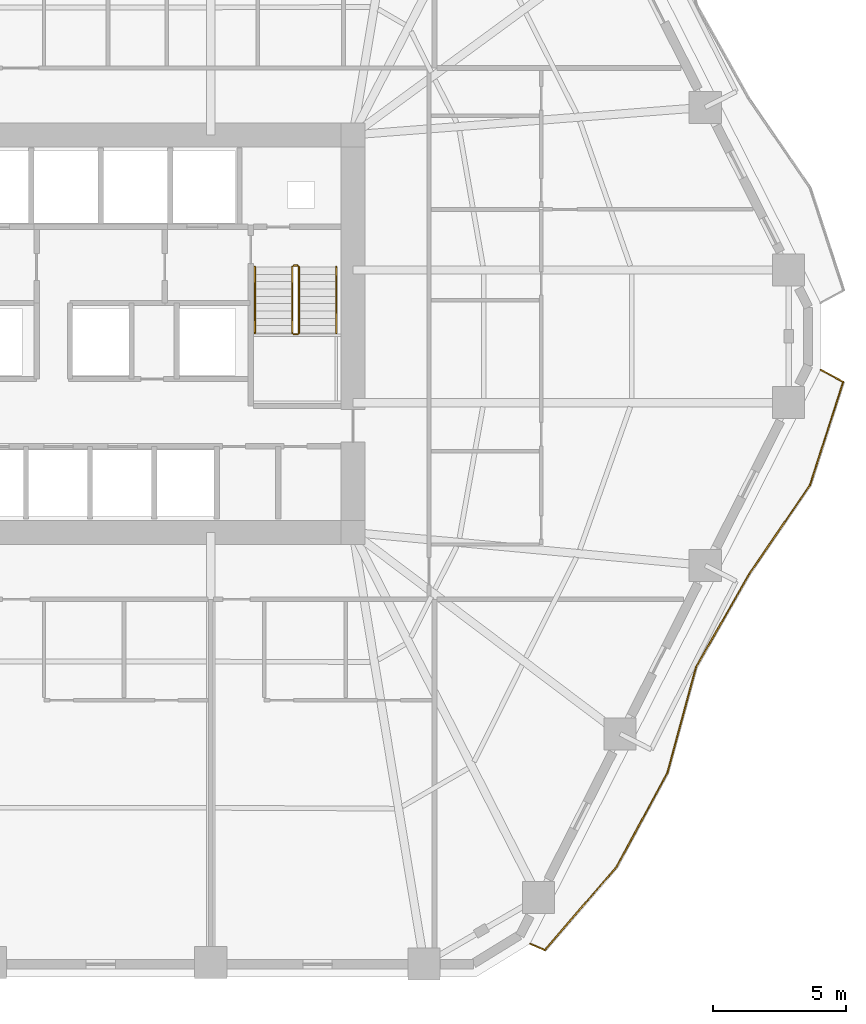
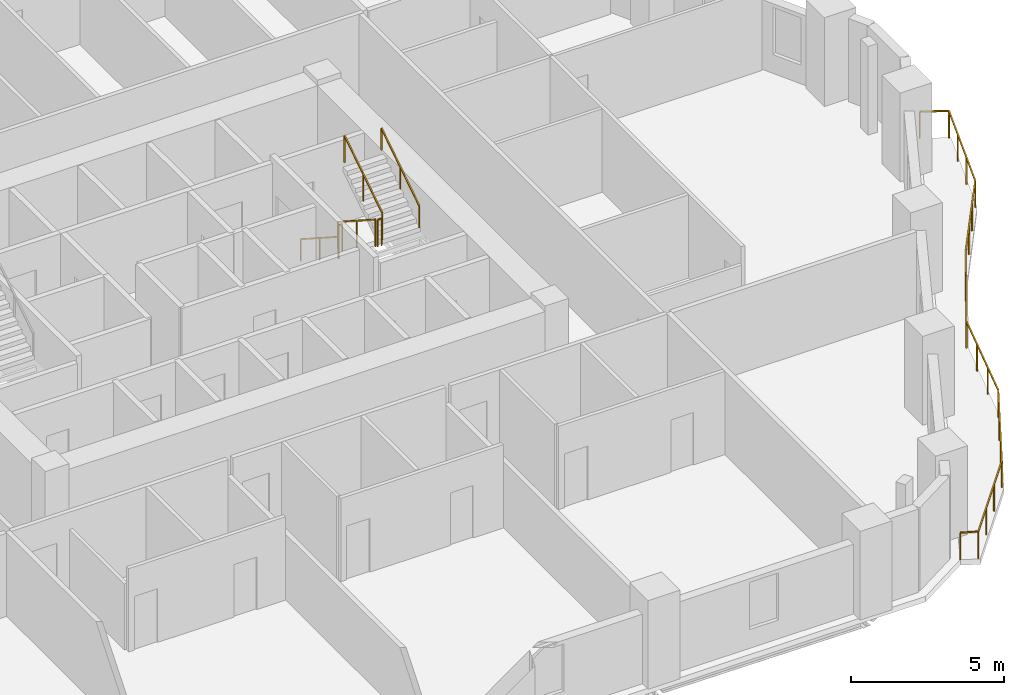
# One storey, part 10 of 11: 7 railings.
"""IFC4 building model written with IfcOpenShell, lengths in metres."""

from ifc_helpers import new_model, si_unit, direction, frame, origin, origin_2d, place, context, subcontext, project, spatial, rectangle, extrude, material, type_object, element, save


model = new_model("IFC4")

# Units and contexts
model_context = context("Model", 3, precision=1e-05, world=origin(), true_north=direction((0.0, 1.0)))
body_context = subcontext(model_context, "Body", "Model", "MODEL_VIEW")
ifc_project = project(units=[si_unit("LENGTHUNIT", "METRE"), si_unit("AREAUNIT", "SQUARE_METRE"), si_unit("VOLUMEUNIT", "CUBIC_METRE"), si_unit("PLANEANGLEUNIT", "RADIAN"), si_unit("MASSUNIT", "GRAM", prefix="KILO")], contexts=[model_context])

# Site, building, storey
site_placement = place(None, origin())
site = spatial("IfcSite", under=ifc_project, at=site_placement, CompositionType="ELEMENT")
building_placement = place(site_placement, origin())
building = spatial("IfcBuilding", under=site, at=building_placement, Name="Cinnabar Lancet Tower", CompositionType="ELEMENT")
storey_placement = place(building_placement, frame((0.0, 0.0, 60.39990234375)))
storey = spatial("IfcBuildingStorey", under=building, at=storey_placement, Name="L15", CompositionType="ELEMENT", Elevation=60.39990234375)

# Railings
ifc_material_1 = material(Name="Laminated safety glass and bronze stainless steel balustrade", Category="steel")
railing_type_1 = type_object("IfcRailingType", Name="ENV-RLG-BAL-1100", PredefinedType="BALUSTRADE", material=ifc_material_1)
railing_1_placement = place(storey_placement, frame((48.488037109375, 3.049072265625, 0.0)))
element("IfcRailing", 1, at=railing_1_placement, inside=storey, type_object=railing_type_1, Name="L15 Face 2 Wave Balcony Balustrade", PredefinedType="BALUSTRADE", context=body_context, shape_type="SweptSolid", body=[
    extrude(rectangle(XDim=0.048095703125, YDim=0.048095703125, at=origin_2d()), frame((0.0, 0.0, 1.076171875), z_axis=(0.915175921108, -0.403054628337, 0.0), x_axis=(0.403054628337, 0.915175921108, 0.0)), (0.0, 0.0, 1.0), 0.595458984375),
    extrude(rectangle(XDim=0.048095703125, YDim=0.048095703125, at=origin_2d()), frame((0.544921875, -0.239990234375, 1.076171875), z_axis=(0.653247215423, 0.757144686003, 0.0), x_axis=(-0.757144686003, 0.653247215423, 0.0)), (0.0, 0.0, 1.0), 4.128662109375),
    extrude(rectangle(XDim=0.048095703125, YDim=0.048095703125, at=origin_2d()), frame((3.241943359375, 2.885986328125, 1.076171875), z_axis=(0.474455673969, 0.8802793951, 0.0), x_axis=(-0.8802793951, 0.474455673969, 0.0)), (0.0, 0.0, 1.0), 4.009033203125),
    extrude(rectangle(XDim=0.048095703125, YDim=0.048095703125, at=origin_2d()), frame((5.14404296875, 6.4150390625, 1.076171875), z_axis=(0.261546383049, 0.965190908325, 0.0), x_axis=(-0.965190908325, 0.261546383049, 0.0)), (0.0, 0.0, 1.0), 4.09033203125),
    extrude(rectangle(XDim=0.048095703125, YDim=0.048095703125, at=origin_2d()), frame((6.2138671875, 10.363037109375, 1.076171875), z_axis=(0.495830707886, 0.86841920126, 0.0), x_axis=(-0.86841920126, 0.495830707886, 0.0)), (0.0, 0.0, 1.0), 4.009521484375),
    extrude(rectangle(XDim=0.048095703125, YDim=0.048095703125, at=origin_2d()), frame((8.201904296875, 13.844970703125, 1.076171875), z_axis=(0.56427013296, 0.825590223446, 0.0), x_axis=(-0.825590223446, 0.56427013296, 0.0)), (0.0, 0.0, 1.0), 4.040771484375),
    extrude(rectangle(XDim=0.048095703125, YDim=0.048095703125, at=origin_2d()), frame((10.48193359375, 17.180908203125, 1.076171875), z_axis=(0.305847515149, 0.952080509976, 0.0), x_axis=(-0.952080509976, 0.305847515149, 0.0)), (0.0, 0.0, 1.0), 4.057373046875),
    extrude(rectangle(XDim=0.048095703125, YDim=0.048095703125, at=origin_2d()), frame((11.722900390625, 21.0439453125, 1.076171875), z_axis=(-0.878691809198, 0.477389468305, 0.0), x_axis=(-0.477389468305, -0.878691809198, 0.0)), (0.0, 0.0, 1.0), 0.95947265625),
    extrude(rectangle(XDim=0.0419921875, YDim=0.0419921875, at=origin_2d()), origin(), (0.0, 0.0, 1.0), 1.052001953125),
    extrude(rectangle(XDim=0.0419921875, YDim=0.0419921875, at=origin_2d()), frame((0.544921875, -0.239990234375, 0.0)), (0.0, 0.0, 1.0), 1.052001953125),
    extrude(rectangle(XDim=0.0419921875, YDim=0.0419921875, at=origin_2d()), frame((1.44384765625, 0.802001953125, 0.0)), (0.0, 0.0, 1.0), 1.052001953125),
    extrude(rectangle(XDim=0.0419921875, YDim=0.0419921875, at=origin_2d()), frame((2.343017578125, 1.843994140625, 0.0)), (0.0, 0.0, 1.0), 1.052001953125),
    extrude(rectangle(XDim=0.0419921875, YDim=0.0419921875, at=origin_2d()), frame((3.241943359375, 2.885986328125, 0.0)), (0.0, 0.0, 1.0), 1.052001953125),
    extrude(rectangle(XDim=0.0419921875, YDim=0.0419921875, at=origin_2d()), frame((3.8759765625, 4.062255859375, 0.0)), (0.0, 0.0, 1.0), 1.052001953125),
    extrude(rectangle(XDim=0.0419921875, YDim=0.0419921875, at=origin_2d()), frame((4.510009765625, 5.23876953125, 0.0)), (0.0, 0.0, 1.0), 1.052001953125),
    extrude(rectangle(XDim=0.0419921875, YDim=0.0419921875, at=origin_2d()), frame((5.14404296875, 6.4150390625, 0.0)), (0.0, 0.0, 1.0), 1.052001953125),
    extrude(rectangle(XDim=0.0419921875, YDim=0.0419921875, at=origin_2d()), frame((5.500732421875, 7.73095703125, 0.0)), (0.0, 0.0, 1.0), 1.052001953125),
    extrude(rectangle(XDim=0.0419921875, YDim=0.0419921875, at=origin_2d()), frame((5.857177734375, 9.047119140625, 0.0)), (0.0, 0.0, 1.0), 1.052001953125),
    extrude(rectangle(XDim=0.0419921875, YDim=0.0419921875, at=origin_2d()), frame((6.2138671875, 10.363037109375, 0.0)), (0.0, 0.0, 1.0), 1.052001953125),
    extrude(rectangle(XDim=0.0419921875, YDim=0.0419921875, at=origin_2d()), frame((6.87646484375, 11.523681640625, 0.0)), (0.0, 0.0, 1.0), 1.052001953125),
    extrude(rectangle(XDim=0.0419921875, YDim=0.0419921875, at=origin_2d()), frame((7.539306640625, 12.684326171875, 0.0)), (0.0, 0.0, 1.0), 1.052001953125),
    extrude(rectangle(XDim=0.0419921875, YDim=0.0419921875, at=origin_2d()), frame((8.201904296875, 13.844970703125, 0.0)), (0.0, 0.0, 1.0), 1.052001953125),
    extrude(rectangle(XDim=0.0419921875, YDim=0.0419921875, at=origin_2d()), frame((8.9619140625, 14.95703125, 0.0)), (0.0, 0.0, 1.0), 1.052001953125),
    extrude(rectangle(XDim=0.0419921875, YDim=0.0419921875, at=origin_2d()), frame((9.721923828125, 16.06884765625, 0.0)), (0.0, 0.0, 1.0), 1.052001953125),
    extrude(rectangle(XDim=0.0419921875, YDim=0.0419921875, at=origin_2d()), frame((10.48193359375, 17.180908203125, 0.0)), (0.0, 0.0, 1.0), 1.052001953125),
    extrude(rectangle(XDim=0.0419921875, YDim=0.0419921875, at=origin_2d()), frame((10.8955078125, 18.468505859375, 0.0)), (0.0, 0.0, 1.0), 1.052001953125),
    extrude(rectangle(XDim=0.0419921875, YDim=0.0419921875, at=origin_2d()), frame((11.309326171875, 19.75634765625, 0.0)), (0.0, 0.0, 1.0), 1.052001953125),
    extrude(rectangle(XDim=0.0419921875, YDim=0.0419921875, at=origin_2d()), frame((11.722900390625, 21.0439453125, 0.0)), (0.0, 0.0, 1.0), 1.052001953125),
    extrude(rectangle(XDim=0.0419921875, YDim=0.0419921875, at=origin_2d()), frame((10.8798828125, 21.501953125, 0.0)), (0.0, 0.0, 1.0), 1.052001953125),
])
ifc_material_2 = material(Name="Painted galvanized steel balustrade", Category="steel")
railing_type_2 = type_object("IfcRailingType", Name="GUARD-STAIR", PredefinedType="GUARDRAIL", material=ifc_material_2)
railing_2_placement = place(storey_placement, frame((39.574951171875, 28.39990234375, 0.177490234375)))
element("IfcRailing", 2, at=railing_2_placement, inside=storey, type_object=railing_type_2, Name="L15 ST-2 stair guard 1", PredefinedType="GUARDRAIL", context=body_context, shape_type="SweptSolid", body=[
    extrude(rectangle(XDim=0.048095703125, YDim=0.048095703125, at=origin_2d()), frame((0.0, 0.0, 1.076171875), z_axis=(0.0, -0.84014559416, 0.542360932049), x_axis=(1.0, 0.0, 0.0)), (0.0, 0.0, 1.0), 2.94580078125),
    extrude(rectangle(XDim=0.0419921875, YDim=0.0419921875, at=origin_2d()), origin(), (0.0, 0.0, 1.0), 1.052001953125),
    extrude(rectangle(XDim=0.0419921875, YDim=0.0419921875, at=origin_2d()), frame((0.0, -1.2373046875, 0.798828125)), (0.0, 0.0, 1.0), 1.052001953125),
    extrude(rectangle(XDim=0.0419921875, YDim=0.0419921875, at=origin_2d()), frame((0.0, -2.474853515625, 1.59765625)), (0.0, 0.0, 1.0), 1.052001953125),
])
railing_3_placement = place(storey_placement, frame((39.625, 25.875, 1.775146484375)))
element("IfcRailing", 3, at=railing_3_placement, inside=storey, type_object=railing_type_2, Name="L15 ST-2 stair guard 2", PredefinedType="GUARDRAIL", context=body_context, shape_type="SweptSolid", body=[
    extrude(rectangle(XDim=0.048095703125, YDim=0.048095703125, at=origin_2d()), frame((0.0, 0.0, 1.076171875), z_axis=(1.0, 0.0, 0.0), x_axis=(0.0, 1.0, 0.0)), (0.0, 0.0, 1.0), 0.14990234375),
    extrude(rectangle(XDim=0.0419921875, YDim=0.0419921875, at=origin_2d()), origin(), (0.0, 0.0, 1.0), 1.052001953125),
    extrude(rectangle(XDim=0.0419921875, YDim=0.0419921875, at=origin_2d()), frame((0.14990234375, 0.0, 0.0)), (0.0, 0.0, 1.0), 1.052001953125),
])
railing_4_placement = place(storey_placement, frame((39.824951171875, 25.925048828125, 1.95263671875)))
element("IfcRailing", 4, at=railing_4_placement, inside=storey, type_object=railing_type_2, Name="L15 ST-2 stair guard 3", PredefinedType="GUARDRAIL", context=body_context, shape_type="SweptSolid", body=[
    extrude(rectangle(XDim=0.048095703125, YDim=0.048095703125, at=origin_2d()), frame((0.0, 0.0, 1.076171875), z_axis=(0.0, 0.840183358697, 0.542302428327), x_axis=(-1.0, 0.0, 0.0)), (0.0, 0.0, 1.0), 2.945556640625),
    extrude(rectangle(XDim=0.0419921875, YDim=0.0419921875, at=origin_2d()), origin(), (0.0, 0.0, 1.0), 1.052001953125),
    extrude(rectangle(XDim=0.0419921875, YDim=0.0419921875, at=origin_2d()), frame((0.0, 1.2373046875, 0.798828125)), (0.0, 0.0, 1.0), 1.052001953125),
    extrude(rectangle(XDim=0.0419921875, YDim=0.0419921875, at=origin_2d()), frame((0.0, 2.474853515625, 1.597412109375)), (0.0, 0.0, 1.0), 1.052001953125),
])
railing_5_placement = place(storey_placement, frame((39.625, 28.449951171875, 0.0)))
element("IfcRailing", 5, at=railing_5_placement, inside=storey, type_object=railing_type_2, Name="L15 ST-2 stair guard 4", PredefinedType="GUARDRAIL", context=body_context, shape_type="SweptSolid", body=[
    extrude(rectangle(XDim=0.048095703125, YDim=0.048095703125, at=origin_2d()), frame((0.0, 0.0, 1.076171875), z_axis=(1.0, 0.0, 0.0), x_axis=(0.0, 1.0, 0.0)), (0.0, 0.0, 1.0), 0.14990234375),
    extrude(rectangle(XDim=0.0419921875, YDim=0.0419921875, at=origin_2d()), origin(), (0.0, 0.0, 1.0), 1.052001953125),
    extrude(rectangle(XDim=0.0419921875, YDim=0.0419921875, at=origin_2d()), frame((0.14990234375, 0.0, 0.0)), (0.0, 0.0, 1.0), 1.052001953125),
])
ifc_material_3 = material(Name="Brushed stainless steel handrail", Category="steel")
railing_type_3 = type_object("IfcRailingType", Name="HANDRAIL-STAIR", PredefinedType="HANDRAIL", material=ifc_material_3)
railing_6_placement = place(storey_placement, frame((38.175048828125, 28.39990234375, 0.177490234375)))
element("IfcRailing", 6, at=railing_6_placement, inside=storey, type_object=railing_type_3, Name="L15 ST-2 stair handrail 1", PredefinedType="HANDRAIL", context=body_context, shape_type="SweptSolid", body=[
    extrude(rectangle(XDim=0.048095703125, YDim=0.048095703125, at=origin_2d()), frame((0.0, 0.0, 0.8759765625), z_axis=(0.0, -0.84014559416, 0.542360932049), x_axis=(1.0, 0.0, 0.0)), (0.0, 0.0, 1.0), 2.94580078125),
    extrude(rectangle(XDim=0.0419921875, YDim=0.0419921875, at=origin_2d()), origin(), (0.0, 0.0, 1.0), 0.851806640625),
    extrude(rectangle(XDim=0.0419921875, YDim=0.0419921875, at=origin_2d()), frame((0.0, -1.2373046875, 0.798828125)), (0.0, 0.0, 1.0), 0.851806640625),
    extrude(rectangle(XDim=0.0419921875, YDim=0.0419921875, at=origin_2d()), frame((0.0, -2.474853515625, 1.59765625)), (0.0, 0.0, 1.0), 0.851806640625),
])
railing_7_placement = place(storey_placement, frame((41.22509765625, 25.925048828125, 1.95263671875)))
element("IfcRailing", 7, at=railing_7_placement, inside=storey, type_object=railing_type_3, Name="L15 ST-2 stair handrail 2", PredefinedType="HANDRAIL", context=body_context, shape_type="SweptSolid", body=[
    extrude(rectangle(XDim=0.048095703125, YDim=0.048095703125, at=origin_2d()), frame((0.0, 0.0, 0.8759765625), z_axis=(0.0, 0.840183358697, 0.542302428327), x_axis=(-1.0, 0.0, 0.0)), (0.0, 0.0, 1.0), 2.945556640625),
    extrude(rectangle(XDim=0.0419921875, YDim=0.0419921875, at=origin_2d()), origin(), (0.0, 0.0, 1.0), 0.851806640625),
    extrude(rectangle(XDim=0.0419921875, YDim=0.0419921875, at=origin_2d()), frame((0.0, 1.2373046875, 0.798828125)), (0.0, 0.0, 1.0), 0.851806640625),
    extrude(rectangle(XDim=0.0419921875, YDim=0.0419921875, at=origin_2d()), frame((0.0, 2.474853515625, 1.597412109375)), (0.0, 0.0, 1.0), 0.851806640625),
])

save(model, "model.ifc")
